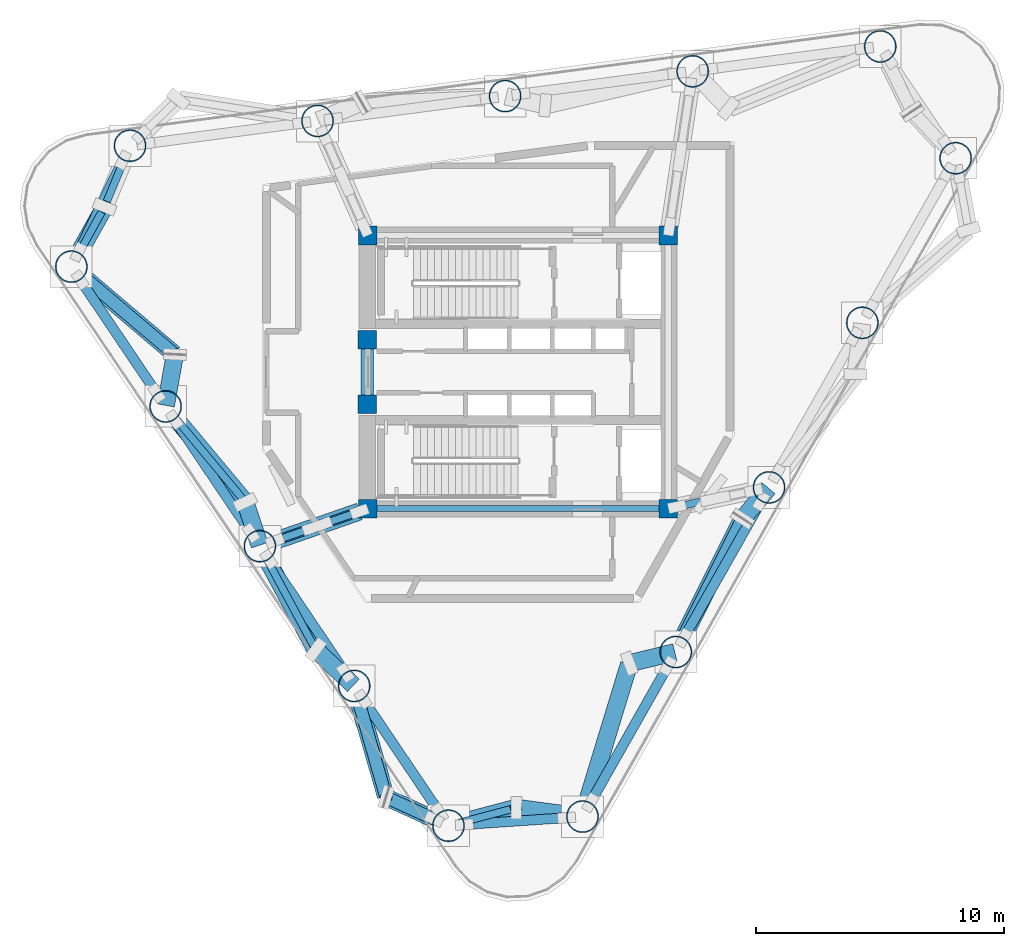
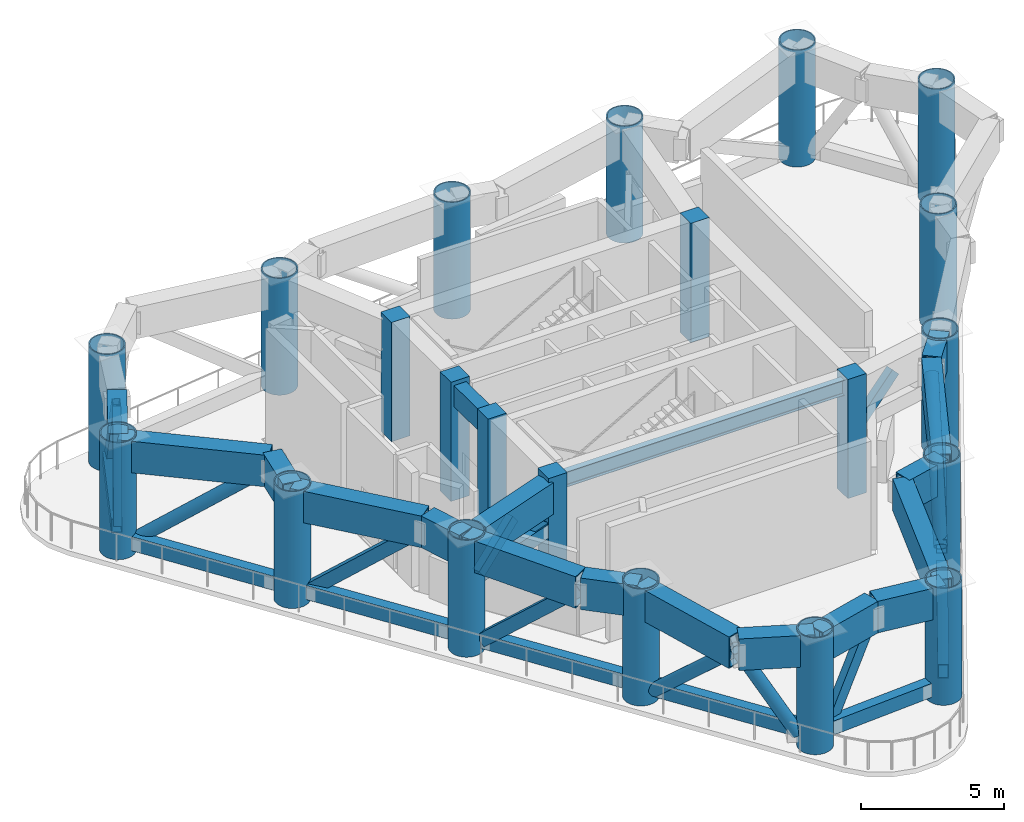
# One storey, part 1 of 10: 21 columns, 21 members, 18 beams.
"""IFC4 building model written with IfcOpenShell, lengths in metres."""

from ifc_helpers import new_model, si_unit, direction, frame, origin, origin_2d, place, context, subcontext, project, spatial, rectangle, hollow_rectangle, hollow_circle, i_section, extrude, source, transform, mapped, material, material_profile, profile_set, type_object, element, save


model = new_model("IFC4")

# Units and contexts
model_context = context("Model", 3, precision=1e-05, world=origin(), true_north=direction((0.0, 1.0)))
body_context = subcontext(model_context, "Body", "Model", "MODEL_VIEW")
ifc_project = project(units=[si_unit("LENGTHUNIT", "METRE"), si_unit("AREAUNIT", "SQUARE_METRE"), si_unit("VOLUMEUNIT", "CUBIC_METRE"), si_unit("PLANEANGLEUNIT", "RADIAN"), si_unit("MASSUNIT", "GRAM", prefix="KILO")], contexts=[model_context])

# Site, building, storey
site_placement = place(None, origin())
site = spatial("IfcSite", under=ifc_project, at=site_placement, CompositionType="ELEMENT")
building_placement = place(site_placement, origin())
building = spatial("IfcBuilding", under=site, at=building_placement, Name="Yunling Apex Tower", CompositionType="ELEMENT")
storey_placement = place(building_placement, frame((0.0, 0.0, 186.35009765625)))
storey = spatial("IfcBuildingStorey", under=building, at=storey_placement, Name="RF5", CompositionType="ELEMENT", Elevation=186.35009765625)

# Columns
ifc_material_1 = material(Name="Concrete C50", Category="concrete")
ifc_material_profile_1 = material_profile(ifc_material_1, rectangle(XDim=0.75, YDim=0.75, at=origin_2d()))
ifc_profile_set_1 = profile_set([ifc_material_profile_1], Name="Concrete C50")
column_type_1 = type_object("IfcColumnType", Name="PC-SRC-4", PredefinedType="COLUMN", material=ifc_profile_set_1)
shared_shape_1 = source(origin(), body_context, "Body", "SweptSolid", [
    extrude(rectangle(XDim=0.75, YDim=0.75, at=origin_2d()), origin(), (0.0, 0.0, 1.0), 5.099853515625),
])
for number, where, z_axis, x_axis, name in (
    (1, (-6.050048828125, -5.5, 0.0), (0.0, 0.0, 1.0), (1.0, 0.0, 0.0), "RF5 Core Spine Column CC-SW"),
    (2, (6.050048828125, -5.5, 0.0), (0.0, 0.0, 1.0), (1.0, 0.0, 0.0), "RF5 Core Spine Column CC-SE"),
    (3, (6.050048828125, 5.5, 0.0), (0.0, 0.0, 1.0), (1.0, 0.0, 0.0), "RF5 Core Spine Column CC-NE"),
    (4, (-6.050048828125, 5.5, 0.0), (0.0, 0.0, 1.0), (1.0, 0.0, 0.0), "RF5 Core Spine Column CC-NW"),
    (5, (-6.074951171875, -1.300048828125, 0.0), (0.0, 0.0, 1.0), (1.0, 0.0, 0.0), "RF5 Core West Portal Jamb Column S"),
    (6, (-6.074951171875, 1.300048828125, 0.0), (0.0, 0.0, 1.0), (1.0, 0.0, 0.0), "RF5 Core West Portal Jamb Column N"),
):
    element("IfcColumn", number, at=place(storey_placement, frame(where, z_axis=z_axis, x_axis=x_axis)), inside=storey, type_object=column_type_1, Name=name, PredefinedType="COLUMN", context=body_context, shape_type="MappedRepresentation", body=[
        mapped(shared_shape_1, transform((0.0, 0.0, 0.0), scale=1.0)),
    ])
ifc_material_2 = material(Name="Steel Q390GJC", Category="steel")
ifc_material_profile_2 = material_profile(ifc_material_2, hollow_circle(Radius=0.64990234375, WallThickness=0.044921875, at=origin_2d()))
ifc_profile_set_2 = profile_set([ifc_material_profile_2], Name="Steel Q390GJC")
column_type_2 = type_object("IfcColumnType", Name="MC-CFST-3", PredefinedType="COLUMN", material=ifc_profile_set_2)
shared_shape_2 = source(origin(), body_context, "Body", "SweptSolid", [
    extrude(hollow_circle(Radius=0.64990234375, WallThickness=0.044921875, at=origin_2d()), origin(), (0.0, 0.0, 1.0), 5.0),
])
for number, where, z_axis, x_axis, name in (
    (7, (2.5947265625, -17.907958984375, 0.0), (0.0, 0.0, 1.0), (1.0, 0.0, 0.0), "RF5 Lower-Block CFST Column P01"),
    (8, (6.351806640625, -11.27783203125, 0.0), (0.0, 0.0, 1.0), (1.0, 0.0, 0.0), "RF5 Lower-Block CFST Column P02"),
    (9, (10.109130859375, -4.64794921875, 0.0), (0.0, 0.0, 1.0), (1.0, 0.0, 0.0), "RF5 Lower-Block CFST Column P03"),
    (10, (13.8662109375, 1.982177734375, 0.0), (0.0, 0.0, 1.0), (1.0, 0.0, 0.0), "RF5 Lower-Block CFST Column P04"),
    (11, (17.62353515625, 8.612060546875, 0.0), (0.0, 0.0, 1.0), (1.0, 0.0, 0.0), "RF5 Lower-Block CFST Column P05"),
    (12, (14.5869140625, 13.114013671875, 0.0), (0.0, 0.0, 1.0), (1.0, 0.0, 0.0), "RF5 Lower-Block CFST Column P06"),
    (13, (7.0322265625, 12.114013671875, 0.0), (0.0, 0.0, 1.0), (1.0, 0.0, 0.0), "RF5 Lower-Block CFST Column P07"),
    (14, (-0.5224609375, 11.114013671875, 0.0), (0.0, 0.0, 1.0), (1.0, 0.0, 0.0), "RF5 Lower-Block CFST Column P08"),
    (15, (-8.0771484375, 10.1142578125, 0.0), (0.0, 0.0, 1.0), (1.0, 0.0, 0.0), "RF5 Lower-Block CFST Column P09"),
    (16, (-15.6318359375, 9.1142578125, 0.0), (0.0, 0.0, 1.0), (1.0, 0.0, 0.0), "RF5 Lower-Block CFST Column P10"),
    (17, (-17.9951171875, 4.2451171875, 0.0), (0.0, 0.0, 1.0), (1.0, 0.0, 0.0), "RF5 Lower-Block CFST Column P11"),
    (18, (-14.197509765625, -1.384765625, 0.0), (0.0, 0.0, 1.0), (1.0, 0.0, 0.0), "RF5 Lower-Block CFST Column P12"),
    (19, (-10.39990234375, -7.014892578125, 0.0), (0.0, 0.0, 1.0), (1.0, 0.0, 0.0), "RF5 Lower-Block CFST Column P13"),
    (20, (-6.6025390625, -12.64501953125, 0.0), (0.0, 0.0, 1.0), (1.0, 0.0, 0.0), "RF5 Lower-Block CFST Column P14"),
    (21, (-2.804931640625, -18.27490234375, 0.0), (0.0, 0.0, 1.0), (1.0, 0.0, 0.0), "RF5 Lower-Block CFST Column P15"),
):
    element("IfcColumn", number, at=place(storey_placement, frame(where, z_axis=z_axis, x_axis=x_axis)), inside=storey, type_object=column_type_2, Name=name, PredefinedType="COLUMN", context=body_context, shape_type="MappedRepresentation", body=[
        mapped(shared_shape_2, transform((0.0, 0.0, 0.0), scale=1.0)),
    ])

# Beams
ifc_material_profile_3 = material_profile(ifc_material_1, rectangle(XDim=0.5, YDim=0.89990234375, at=origin_2d()))
ifc_profile_set_3 = profile_set([ifc_material_profile_3], Name="Concrete C50")
beam_type_1 = type_object("IfcBeamType", Name="BC-CPL-2", PredefinedType="BEAM", material=ifc_profile_set_3)
shared_shape_3 = source(origin(), body_context, "Body", "SweptSolid", [
    extrude(rectangle(XDim=0.5, YDim=0.89990234375, at=origin_2d()), origin(), (0.0, 0.0, 1.0), 2.5),
])
beam_1_placement = place(storey_placement, frame((-6.074951171875, -1.25, 4.469970703125), z_axis=(0.0, 1.0, 0.0), x_axis=(-1.0, 0.0, 0.0)))
element("IfcBeam", 22, at=beam_1_placement, inside=storey, type_object=beam_type_1, Name="RF5 Core West Portal Coupling Beam", PredefinedType="BEAM", context=body_context, shape_type="MappedRepresentation", body=[
    mapped(shared_shape_3, transform((0.0, 0.0, 0.0), scale=1.0)),
])
ifc_material_3 = material(Name="Steel Q355B", Category="steel")
ifc_material_profile_4 = material_profile(ifc_material_3, i_section(OverallWidth=0.25, OverallDepth=0.64990234375, WebThickness=0.011962890625, FlangeThickness=0.02001953125, FilletRadius=0.02392578125, at=origin_2d()))
ifc_profile_set_4 = profile_set([ifc_material_profile_4], Name="Steel Q355B")
beam_type_2 = type_object("IfcBeamType", Name="BG-PRI-4", PredefinedType="USERDEFINED", material=ifc_profile_set_4)
shared_shape_4 = source(origin(), body_context, "Body", "SweptSolid", [
    extrude(i_section(OverallWidth=0.25, OverallDepth=0.64990234375, WebThickness=0.011962890625, FlangeThickness=0.02001953125, FilletRadius=0.02392578125, at=origin_2d()), origin(), (0.0, 0.0, 1.0), 11.7998046875),
])
beam_2_placement = place(storey_placement, frame((-5.89990234375, -5.5, 4.594970703125), z_axis=(1.0, 0.0, 0.0), x_axis=(0.0, 1.0, 0.0)))
element("IfcBeam", 23, at=beam_2_placement, inside=storey, type_object=beam_type_2, Name="RF5 Core Ring Tie Beam 1", ObjectType="GIRDER", PredefinedType="USERDEFINED", context=body_context, shape_type="MappedRepresentation", body=[
    mapped(shared_shape_4, transform((0.0, 0.0, 0.0), scale=1.0)),
])

# Members
ifc_material_profile_5 = material_profile(ifc_material_3, hollow_rectangle(XDim=0.39990234375, YDim=0.60009765625, WallThickness=0.030029296875, at=origin_2d()))
ifc_profile_set_5 = profile_set([ifc_material_profile_5], Name="Steel Q355B")
member_type_1 = type_object("IfcMemberType", Name="BT-CHD-2", PredefinedType="CHORD", material=ifc_profile_set_5)
shared_shape_5 = source(origin(), body_context, "Body", "SweptSolid", [
    extrude(hollow_rectangle(XDim=0.39990234375, YDim=0.60009765625, WallThickness=0.030029296875, at=origin_2d()), origin(), (0.0, 0.0, 1.0), 6.336669921875),
])
for number, where, z_axis, x_axis, name in (
    (24, (2.9111328125, -17.349365234375, 0.5498046875), (0.493044651429, 0.870004006713, 0.0), (-0.870004006713, 0.493044651429, 0.0), "RF5 Belt-Truss Bottom Chord 1"),
    (25, (6.66845703125, -10.719482421875, 0.5498046875), (0.492998962513, 0.87002989774, 0.0), (-0.87002989774, 0.492998962513, 0.0), "RF5 Belt-Truss Bottom Chord 2"),
):
    element("IfcMember", number, at=place(storey_placement, frame(where, z_axis=z_axis, x_axis=x_axis)), inside=storey, type_object=member_type_1, Name=name, PredefinedType="CHORD", context=body_context, shape_type="MappedRepresentation", body=[
        mapped(shared_shape_5, transform((0.0, 0.0, 0.0), scale=1.0)),
    ])
shared_shape_6 = source(origin(), body_context, "Body", "SweptSolid", [
    extrude(hollow_rectangle(XDim=0.39990234375, YDim=0.60009765625, WallThickness=0.030029296875, at=origin_2d()), origin(), (0.0, 0.0, 1.0), 4.128173828125),
])
for number, where, z_axis, x_axis, name in (
    (26, (-15.912109375, 8.53662109375, 0.5498046875), (-0.436631874533, -0.899640264851, 0.0), (0.899640264851, -0.436631874533, 0.0), "RF5 Belt-Truss Bottom Chord 10"),
    (27, (-2.16455078125, -18.2314453125, 0.5498046875), (0.997696627685, 0.067833908237, 0.0), (-0.067833908237, 0.997696627685, 0.0), "RF5 Belt-Truss Bottom Chord 15"),
):
    element("IfcMember", number, at=place(storey_placement, frame(where, z_axis=z_axis, x_axis=x_axis)), inside=storey, type_object=member_type_1, Name=name, PredefinedType="CHORD", context=body_context, shape_type="MappedRepresentation", body=[
        mapped(shared_shape_6, transform((0.0, 0.0, 0.0), scale=1.0)),
    ])
shared_shape_7 = source(origin(), body_context, "Body", "SweptSolid", [
    extrude(hollow_rectangle(XDim=0.39990234375, YDim=0.60009765625, WallThickness=0.030029296875, at=origin_2d()), origin(), (0.0, 0.0, 1.0), 5.507080078125),
])
for number, where, z_axis, x_axis, name in (
    (28, (-17.635986328125, 3.712890625, 0.5498046875), (0.559213950043, -0.829023376074, 0.0), (0.829023376074, 0.559213950043, 0.0), "RF5 Belt-Truss Bottom Chord 11"),
    (29, (-13.83837890625, -1.9169921875, 0.5498046875), (0.559162927807, -0.829057790607, 0.0), (0.829057790607, 0.559162927807, 0.0), "RF5 Belt-Truss Bottom Chord 12"),
    (30, (-10.041015625, -7.547119140625, 0.5498046875), (0.559193397876, -0.829037239074, 0.0), (0.829037239074, 0.559193397876, 0.0), "RF5 Belt-Truss Bottom Chord 13"),
):
    element("IfcMember", number, at=place(storey_placement, frame(where, z_axis=z_axis, x_axis=x_axis)), inside=storey, type_object=member_type_1, Name=name, PredefinedType="CHORD", context=body_context, shape_type="MappedRepresentation", body=[
        mapped(shared_shape_7, transform((0.0, 0.0, 0.0), scale=1.0)),
    ])
shared_shape_8 = source(origin(), body_context, "Body", "SweptSolid", [
    extrude(hollow_rectangle(XDim=0.39990234375, YDim=0.60009765625, WallThickness=0.030029296875, at=origin_2d()), origin(), (0.0, 0.0, 1.0), 5.50732421875),
])
member_1_placement = place(storey_placement, frame((-6.243408203125, -13.177001953125, 0.5498046875), z_axis=(0.559142376909, -0.829071650911, 0.0), x_axis=(0.829071650911, 0.559142376909, 0.0)))
element("IfcMember", 31, at=member_1_placement, inside=storey, type_object=member_type_1, Name="RF5 Belt-Truss Bottom Chord 14", PredefinedType="CHORD", context=body_context, shape_type="MappedRepresentation", body=[
    mapped(shared_shape_8, transform((0.0, 0.0, 0.0), scale=1.0)),
])

# Beams
ifc_material_profile_6 = material_profile(ifc_material_2, hollow_rectangle(XDim=0.699951171875, YDim=1.35009765625, WallThickness=0.044921875, at=origin_2d()))
ifc_profile_set_6 = profile_set([ifc_material_profile_6], Name="Steel Q390GJC")
beam_type_3 = type_object("IfcBeamType", Name="BTRNG-2", PredefinedType="USERDEFINED", material=ifc_profile_set_6)
shared_shape_9 = source(origin(), body_context, "Body", "SweptSolid", [
    extrude(hollow_rectangle(XDim=0.699951171875, YDim=1.35009765625, WallThickness=0.044921875, at=origin_2d()), origin(), (0.0, 0.0, 1.0), 4.9375),
])
beam_3_placement = place(storey_placement, frame((-14.171875, -1.41552734375, 4.244873046875), z_axis=(0.63989739859, -0.768460356347, 0.0), x_axis=(0.768460356347, 0.63989739859, 0.0)))
element("IfcBeam", 32, at=beam_3_placement, inside=storey, type_object=beam_type_3, Name="RF5 Panel-Split Box Ring Transfer Girder 1", ObjectType="GIRDER", PredefinedType="USERDEFINED", context=body_context, shape_type="MappedRepresentation", body=[
    mapped(shared_shape_9, transform((0.0, 0.0, 0.0), scale=1.0)),
])
shared_shape_10 = source(origin(), body_context, "Body", "SweptSolid", [
    extrude(hollow_rectangle(XDim=0.699951171875, YDim=1.35009765625, WallThickness=0.044921875, at=origin_2d()), origin(), (0.0, 0.0, 1.0), 1.788818359375),
])
beam_4_placement = place(storey_placement, frame((-10.974365234375, -5.278564453125, 4.244873046875), z_axis=(0.314056793906, -0.949404197485, 0.0), x_axis=(0.949404197485, 0.314056793906, 0.0)))
element("IfcBeam", 33, at=beam_4_placement, inside=storey, type_object=beam_type_3, Name="RF5 Panel-Split Box Ring Transfer Girder 2", ObjectType="GIRDER", PredefinedType="USERDEFINED", context=body_context, shape_type="MappedRepresentation", body=[
    mapped(shared_shape_10, transform((0.0, 0.0, 0.0), scale=1.0)),
])
shared_shape_11 = source(origin(), body_context, "Body", "SweptSolid", [
    extrude(hollow_rectangle(XDim=0.699951171875, YDim=1.35009765625, WallThickness=0.044921875, at=origin_2d()), origin(), (0.0, 0.0, 1.0), 4.658203125),
])
beam_5_placement = place(storey_placement, frame((-10.381103515625, -7.050048828125, 4.244873046875), z_axis=(0.47459045053, -0.880206739503, 0.0), x_axis=(0.880206739503, 0.47459045053, 0.0)))
element("IfcBeam", 34, at=beam_5_placement, inside=storey, type_object=beam_type_3, Name="RF5 Panel-Split Box Ring Transfer Girder 3", ObjectType="GIRDER", PredefinedType="USERDEFINED", context=body_context, shape_type="MappedRepresentation", body=[
    mapped(shared_shape_11, transform((0.0, 0.0, 0.0), scale=1.0)),
])
shared_shape_12 = source(origin(), body_context, "Body", "SweptSolid", [
    extrude(hollow_rectangle(XDim=0.699951171875, YDim=1.35009765625, WallThickness=0.044921875, at=origin_2d()), origin(), (0.0, 0.0, 1.0), 2.04833984375),
])
beam_6_placement = place(storey_placement, frame((-8.122314453125, -11.212646484375, 4.244873046875), z_axis=(0.727772955099, -0.685818143407, 0.0), x_axis=(0.685818143407, 0.727772955099, 0.0)))
element("IfcBeam", 35, at=beam_6_placement, inside=storey, type_object=beam_type_3, Name="RF5 Panel-Split Box Ring Transfer Girder 4", ObjectType="GIRDER", PredefinedType="USERDEFINED", context=body_context, shape_type="MappedRepresentation", body=[
    mapped(shared_shape_12, transform((0.0, 0.0, 0.0), scale=1.0)),
])
shared_shape_13 = source(origin(), body_context, "Body", "SweptSolid", [
    extrude(hollow_rectangle(XDim=0.699951171875, YDim=1.35009765625, WallThickness=0.044921875, at=origin_2d()), origin(), (0.0, 0.0, 1.0), 4.586181640625),
])
beam_7_placement = place(storey_placement, frame((-6.591552734375, -12.683349609375, 4.244873046875), z_axis=(0.275747466249, -0.961230115455, 0.0), x_axis=(0.961230115455, 0.275747466249, 0.0)))
element("IfcBeam", 36, at=beam_7_placement, inside=storey, type_object=beam_type_3, Name="RF5 Panel-Split Box Ring Transfer Girder 5", ObjectType="GIRDER", PredefinedType="USERDEFINED", context=body_context, shape_type="MappedRepresentation", body=[
    mapped(shared_shape_13, transform((0.0, 0.0, 0.0), scale=1.0)),
])
shared_shape_14 = source(origin(), body_context, "Body", "SweptSolid", [
    extrude(hollow_rectangle(XDim=0.699951171875, YDim=1.35009765625, WallThickness=0.044921875, at=origin_2d()), origin(), (0.0, 0.0, 1.0), 2.679443359375),
])
beam_8_placement = place(storey_placement, frame((-5.279296875, -17.146728515625, 4.244873046875), z_axis=(0.909888446538, -0.414853003914, 0.0), x_axis=(0.414853003914, 0.909888446538, 0.0)))
element("IfcBeam", 37, at=beam_8_placement, inside=storey, type_object=beam_type_3, Name="RF5 Panel-Split Box Ring Transfer Girder 6", ObjectType="GIRDER", PredefinedType="USERDEFINED", context=body_context, shape_type="MappedRepresentation", body=[
    mapped(shared_shape_14, transform((0.0, 0.0, 0.0), scale=1.0)),
])
shared_shape_15 = source(origin(), body_context, "Body", "SweptSolid", [
    extrude(hollow_rectangle(XDim=0.699951171875, YDim=1.35009765625, WallThickness=0.044921875, at=origin_2d()), origin(), (0.0, 0.0, 1.0), 2.7451171875),
])
beam_9_placement = place(storey_placement, frame((-2.766357421875, -18.264892578125, 4.244873046875), z_axis=(0.966806739735, 0.255508763063, 0.0), x_axis=(-0.255508763063, 0.966806739735, 0.0)))
element("IfcBeam", 38, at=beam_9_placement, inside=storey, type_object=beam_type_3, Name="RF5 Panel-Split Box Ring Transfer Girder 7", ObjectType="GIRDER", PredefinedType="USERDEFINED", context=body_context, shape_type="MappedRepresentation", body=[
    mapped(shared_shape_15, transform((0.0, 0.0, 0.0), scale=1.0)),
])
shared_shape_16 = source(origin(), body_context, "Body", "SweptSolid", [
    extrude(hollow_rectangle(XDim=0.699951171875, YDim=1.35009765625, WallThickness=0.044921875, at=origin_2d()), origin(), (0.0, 0.0, 1.0), 2.611328125),
])
beam_10_placement = place(storey_placement, frame((-0.03369140625, -17.55859375, 4.244873046875), z_axis=(0.991285777949, -0.131728912679, 0.0), x_axis=(0.131728912679, 0.991285777949, 0.0)))
element("IfcBeam", 39, at=beam_10_placement, inside=storey, type_object=beam_type_3, Name="RF5 Panel-Split Box Ring Transfer Girder 8", ObjectType="GIRDER", PredefinedType="USERDEFINED", context=body_context, shape_type="MappedRepresentation", body=[
    mapped(shared_shape_16, transform((0.0, 0.0, 0.0), scale=1.0)),
])
shared_shape_17 = source(origin(), body_context, "Body", "SweptSolid", [
    extrude(hollow_rectangle(XDim=0.699951171875, YDim=1.35009765625, WallThickness=0.044921875, at=origin_2d()), origin(), (0.0, 0.0, 1.0), 6.377197265625),
])
beam_11_placement = place(storey_placement, frame((2.6064453125, -17.86962890625, 4.244873046875), z_axis=(0.292064857462, 0.95639851476, 0.0), x_axis=(-0.95639851476, 0.292064857462, 0.0)))
element("IfcBeam", 40, at=beam_11_placement, inside=storey, type_object=beam_type_3, Name="RF5 Panel-Split Box Ring Transfer Girder 9", ObjectType="GIRDER", PredefinedType="USERDEFINED", context=body_context, shape_type="MappedRepresentation", body=[
    mapped(shared_shape_17, transform((0.0, 0.0, 0.0), scale=1.0)),
])
shared_shape_18 = source(origin(), body_context, "Body", "SweptSolid", [
    extrude(hollow_rectangle(XDim=0.699951171875, YDim=1.35009765625, WallThickness=0.044921875, at=origin_2d()), origin(), (0.0, 0.0, 1.0), 1.845458984375),
])
beam_12_placement = place(storey_placement, frame((4.519775390625, -11.722900390625, 4.244873046875), z_axis=(0.971747202009, 0.236024099167, 0.0), x_axis=(-0.236024099167, 0.971747202009, 0.0)))
element("IfcBeam", 41, at=beam_12_placement, inside=storey, type_object=beam_type_3, Name="RF5 Panel-Split Box Ring Transfer Girder 10", ObjectType="GIRDER", PredefinedType="USERDEFINED", context=body_context, shape_type="MappedRepresentation", body=[
    mapped(shared_shape_18, transform((0.0, 0.0, 0.0), scale=1.0)),
])
shared_shape_19 = source(origin(), body_context, "Body", "SweptSolid", [
    extrude(hollow_rectangle(XDim=0.699951171875, YDim=1.35009765625, WallThickness=0.044921875, at=origin_2d()), origin(), (0.0, 0.0, 1.0), 5.919921875),
])
beam_13_placement = place(storey_placement, frame((6.369873046875, -11.2421875, 4.244873046875), z_axis=(0.44716410695, 0.894451933564, 0.0), x_axis=(-0.894451933564, 0.44716410695, 0.0)))
element("IfcBeam", 42, at=beam_13_placement, inside=storey, type_object=beam_type_3, Name="RF5 Panel-Split Box Ring Transfer Girder 11", ObjectType="GIRDER", PredefinedType="USERDEFINED", context=body_context, shape_type="MappedRepresentation", body=[
    mapped(shared_shape_19, transform((0.0, 0.0, 0.0), scale=1.0)),
])
shared_shape_20 = source(origin(), body_context, "Body", "SweptSolid", [
    extrude(hollow_rectangle(XDim=0.699951171875, YDim=1.35009765625, WallThickness=0.044921875, at=origin_2d()), origin(), (0.0, 0.0, 1.0), 1.578125),
])
beam_14_placement = place(storey_placement, frame((9.06103515625, -5.880859375, 4.244873046875), z_axis=(0.647715774691, 0.761882061225, 0.0), x_axis=(-0.761882061225, 0.647715774691, 0.0)))
element("IfcBeam", 43, at=beam_14_placement, inside=storey, type_object=beam_type_3, Name="RF5 Panel-Split Box Ring Transfer Girder 12", ObjectType="GIRDER", PredefinedType="USERDEFINED", context=body_context, shape_type="MappedRepresentation", body=[
    mapped(shared_shape_20, transform((0.0, 0.0, 0.0), scale=1.0)),
])
shared_shape_21 = source(origin(), body_context, "Body", "SweptSolid", [
    extrude(hollow_rectangle(XDim=0.699951171875, YDim=1.35009765625, WallThickness=0.044921875, at=origin_2d()), origin(), (0.0, 0.0, 1.0), 2.67041015625),
])
beam_15_placement = place(storey_placement, frame((-16.677490234375, 6.614013671875, 4.244873046875), z_axis=(-0.486093079132, -0.873907042208, 0.0), x_axis=(0.873907042208, -0.486093079132, 0.0)))
element("IfcBeam", 44, at=beam_15_placement, inside=storey, type_object=beam_type_3, Name="RF5 Panel-Split Box Ring Transfer Girder 28", ObjectType="GIRDER", PredefinedType="USERDEFINED", context=body_context, shape_type="MappedRepresentation", body=[
    mapped(shared_shape_21, transform((0.0, 0.0, 0.0), scale=1.0)),
])
shared_shape_22 = source(origin(), body_context, "Body", "SweptSolid", [
    extrude(hollow_rectangle(XDim=0.699951171875, YDim=1.35009765625, WallThickness=0.044921875, at=origin_2d()), origin(), (0.0, 0.0, 1.0), 5.392578125),
])
beam_16_placement = place(storey_placement, frame((-17.964599609375, 4.21923828125, 4.244873046875), z_axis=(0.762490861431, -0.646998984724, 0.0), x_axis=(0.646998984724, 0.762490861431, 0.0)))
element("IfcBeam", 45, at=beam_16_placement, inside=storey, type_object=beam_type_3, Name="RF5 Panel-Split Box Ring Transfer Girder 29", ObjectType="GIRDER", PredefinedType="USERDEFINED", context=body_context, shape_type="MappedRepresentation", body=[
    mapped(shared_shape_22, transform((0.0, 0.0, 0.0), scale=1.0)),
])
shared_shape_23 = source(origin(), body_context, "Body", "SweptSolid", [
    extrude(hollow_rectangle(XDim=0.699951171875, YDim=1.35009765625, WallThickness=0.044921875, at=origin_2d()), origin(), (0.0, 0.0, 1.0), 2.04248046875),
])
beam_17_placement = place(storey_placement, frame((-13.82958984375, 0.664794921875, 4.244873046875), z_axis=(-0.17667594036, -0.984269075049, 0.0), x_axis=(0.984269075049, -0.17667594036, 0.0)))
element("IfcBeam", 46, at=beam_17_placement, inside=storey, type_object=beam_type_3, Name="RF5 Panel-Split Box Ring Transfer Girder 30", ObjectType="GIRDER", PredefinedType="USERDEFINED", context=body_context, shape_type="MappedRepresentation", body=[
    mapped(shared_shape_23, transform((0.0, 0.0, 0.0), scale=1.0)),
])

# Members
ifc_material_profile_7 = material_profile(ifc_material_3, hollow_rectangle(XDim=0.300048828125, YDim=0.5, WallThickness=0.02197265625, at=origin_2d()))
ifc_profile_set_7 = profile_set([ifc_material_profile_7], Name="Steel Q355B")
member_type_2 = type_object("IfcMemberType", Name="BR-BLT-2", PredefinedType="BRACE", material=ifc_profile_set_7)
shared_shape_24 = source(origin(), body_context, "Body", "SweptSolid", [
    extrude(hollow_rectangle(XDim=0.300048828125, YDim=0.5, WallThickness=0.02197265625, at=origin_2d()), origin(), (0.0, 0.0, 1.0), 4.28271484375),
])
member_2_placement = place(storey_placement, frame((-2.186279296875, -18.111572265625, 0.5498046875), z_axis=(0.488817410198, 0.129173207173, 0.862769854617), x_axis=(-0.255486572663, 0.966812603967, 0.0)))
element("IfcMember", 47, at=member_2_placement, inside=storey, type_object=member_type_2, Name="RF5 Belt-Truss Diagonal 1-1", PredefinedType="BRACE", context=body_context, shape_type="MappedRepresentation", body=[
    mapped(shared_shape_24, transform((0.0, 0.0, 0.0), scale=1.0)),
])
ifc_material_profile_8 = material_profile(ifc_material_3, hollow_circle(Radius=0.25390625, WallThickness=0.02001953125, at=origin_2d()))
ifc_profile_set_8 = profile_set([ifc_material_profile_8], Name="Steel Q355B")
member_type_3 = type_object("IfcMemberType", Name="BR-PER-2", PredefinedType="BRACE", material=ifc_profile_set_8)
shared_shape_25 = source(origin(), body_context, "Body", "SweptSolid", [
    extrude(hollow_circle(Radius=0.25390625, WallThickness=0.02001953125, at=origin_2d()), origin(), (0.0, 0.0, 1.0), 6.493896484375),
])
member_3_placement = place(storey_placement, frame((6.63818359375, -10.70556640625, 0.5498046875), z_axis=(0.367725923403, 0.735527038693, 0.569014604918), x_axis=(-0.894445477831, 0.447177019968, 0.0)))
element("IfcMember", 48, at=member_3_placement, inside=storey, type_object=member_type_3, Name="RF5 Belt-Truss Diagonal 3-1", PredefinedType="BRACE", context=body_context, shape_type="MappedRepresentation", body=[
    mapped(shared_shape_25, transform((0.0, 0.0, 0.0), scale=1.0)),
])
shared_shape_26 = source(origin(), body_context, "Body", "SweptSolid", [
    extrude(hollow_rectangle(XDim=0.300048828125, YDim=0.5, WallThickness=0.02197265625, at=origin_2d()), origin(), (0.0, 0.0, 1.0), 4.20654296875),
])
member_4_placement = place(storey_placement, frame((-15.877685546875, 8.5234375, 0.5498046875), z_axis=(-0.183690322323, -0.441205001675, 0.87840538021), x_axis=(0.923184673553, -0.384356681373, 0.0)))
element("IfcMember", 49, at=member_4_placement, inside=storey, type_object=member_type_2, Name="RF5 Belt-Truss Diagonal 11-1", PredefinedType="BRACE", context=body_context, shape_type="MappedRepresentation", body=[
    mapped(shared_shape_26, transform((0.0, 0.0, 0.0), scale=1.0)),
])
shared_shape_27 = source(origin(), body_context, "Body", "SweptSolid", [
    extrude(hollow_rectangle(XDim=0.300048828125, YDim=0.5, WallThickness=0.02197265625, at=origin_2d()), origin(), (0.0, 0.0, 1.0), 4.24560546875),
])
member_5_placement = place(storey_placement, frame((-17.683837890625, 4.804443359375, 0.5498046875), z_axis=(0.239337451261, 0.430370371273, 0.870344143402), x_axis=(-0.873947880343, 0.486019652323, 0.0)))
element("IfcMember", 50, at=member_5_placement, inside=storey, type_object=member_type_2, Name="RF5 Belt-Truss Diagonal 11-2", PredefinedType="BRACE", context=body_context, shape_type="MappedRepresentation", body=[
    mapped(shared_shape_27, transform((0.0, 0.0, 0.0), scale=1.0)),
])
shared_shape_28 = source(origin(), body_context, "Body", "SweptSolid", [
    extrude(hollow_circle(Radius=0.25390625, WallThickness=0.02001953125, at=origin_2d()), origin(), (0.0, 0.0, 1.0), 6.0673828125),
])
member_6_placement = place(storey_placement, frame((-17.507080078125, 3.8310546875, 0.5498046875), z_axis=(0.604774552972, -0.513193256727, 0.608999524899), x_axis=(0.647014987334, 0.762477282393, 0.0)))
element("IfcMember", 51, at=member_6_placement, inside=storey, type_object=member_type_3, Name="RF5 Belt-Truss Diagonal 12-1", PredefinedType="BRACE", context=body_context, shape_type="MappedRepresentation", body=[
    mapped(shared_shape_28, transform((0.0, 0.0, 0.0), scale=1.0)),
])
shared_shape_29 = source(origin(), body_context, "Body", "SweptSolid", [
    extrude(hollow_rectangle(XDim=0.300048828125, YDim=0.5, WallThickness=0.02197265625, at=origin_2d()), origin(), (0.0, 0.0, 1.0), 5.713134765625),
])
member_7_placement = place(storey_placement, frame((-13.7880859375, -1.876708984375, 0.5498046875), z_axis=(0.488055223748, -0.586085053297, 0.646766116052), x_axis=(0.768446269142, 0.639914315703, 0.0)))
element("IfcMember", 52, at=member_7_placement, inside=storey, type_object=member_type_2, Name="RF5 Belt-Truss Diagonal 13-1", PredefinedType="BRACE", context=body_context, shape_type="MappedRepresentation", body=[
    mapped(shared_shape_29, transform((0.0, 0.0, 0.0), scale=1.0)),
])
shared_shape_30 = source(origin(), body_context, "Body", "SweptSolid", [
    extrude(hollow_rectangle(XDim=0.300048828125, YDim=0.5, WallThickness=0.02197265625, at=origin_2d()), origin(), (0.0, 0.0, 1.0), 5.503173828125),
])
member_8_placement = place(storey_placement, frame((-10.09619140625, -7.578125, 0.5498046875), z_axis=(0.351674760264, -0.652286363084, 0.671451683689), x_axis=(0.880221075046, 0.474563861925, 0.0)))
element("IfcMember", 53, at=member_8_placement, inside=storey, type_object=member_type_2, Name="RF5 Belt-Truss Diagonal 14-1", PredefinedType="BRACE", context=body_context, shape_type="MappedRepresentation", body=[
    mapped(shared_shape_30, transform((0.0, 0.0, 0.0), scale=1.0)),
])
shared_shape_31 = source(origin(), body_context, "Body", "SweptSolid", [
    extrude(hollow_circle(Radius=0.25390625, WallThickness=0.02001953125, at=origin_2d()), origin(), (0.0, 0.0, 1.0), 4.25),
])
member_9_placement = place(storey_placement, frame((-3.38720703125, -18.009521484375, 0.5498046875), z_axis=(-0.44951264198, 0.204966275602, 0.869440745862), x_axis=(-0.414880217799, -0.909876038194, 0.0)))
element("IfcMember", 54, at=member_9_placement, inside=storey, type_object=member_type_3, Name="RF5 Belt-Truss Diagonal 15-1", PredefinedType="BRACE", context=body_context, shape_type="MappedRepresentation", body=[
    mapped(shared_shape_31, transform((0.0, 0.0, 0.0), scale=1.0)),
])
shared_shape_32 = source(origin(), body_context, "Body", "SweptSolid", [
    extrude(hollow_circle(Radius=0.25390625, WallThickness=0.02001953125, at=origin_2d()), origin(), (0.0, 0.0, 1.0), 5.449951171875),
])
member_10_placement = place(storey_placement, frame((-6.426025390625, -13.260009765625, 0.5498046875), z_axis=(0.202702668557, -0.706569986995, 0.677990030633), x_axis=(0.961226729509, 0.275759269069, 0.0)))
element("IfcMember", 55, at=member_10_placement, inside=storey, type_object=member_type_3, Name="RF5 Belt-Truss Diagonal 15-2", PredefinedType="BRACE", context=body_context, shape_type="MappedRepresentation", body=[
    mapped(shared_shape_32, transform((0.0, 0.0, 0.0), scale=1.0)),
])

# Beam
shared_shape_33 = source(origin(), body_context, "Body", "SweptSolid", [
    extrude(hollow_rectangle(XDim=0.699951171875, YDim=1.35009765625, WallThickness=0.044921875, at=origin_2d()), origin(), (0.0, 0.0, 1.0), 3.6064453125),
])
beam_18_placement = place(storey_placement, frame((-6.389892578125, -5.618408203125, 4.244873046875), z_axis=(-0.94437435128, -0.328872444338, 0.0), x_axis=(0.328872444338, -0.94437435128, 0.0)))
element("IfcBeam", 56, at=beam_18_placement, inside=storey, type_object=beam_type_3, Name="RF5 Radial Outrigger Top Girder 1", ObjectType="GIRDER", PredefinedType="USERDEFINED", context=body_context, shape_type="MappedRepresentation", body=[
    mapped(shared_shape_33, transform((0.0, 0.0, 0.0), scale=1.0)),
])

# Members
shared_shape_34 = source(origin(), body_context, "Body", "SweptSolid", [
    extrude(hollow_rectangle(XDim=0.39990234375, YDim=0.60009765625, WallThickness=0.030029296875, at=origin_2d()), origin(), (0.0, 0.0, 1.0), 3.6064453125),
])
member_11_placement = place(storey_placement, frame((-6.389892578125, -5.618408203125, 2.81982421875), z_axis=(-0.94437435128, -0.328872444338, 0.0), x_axis=(0.328872444338, -0.94437435128, 0.0)))
element("IfcMember", 57, at=member_11_placement, inside=storey, type_object=member_type_1, Name="RF5 Radial Outrigger Lower Chord 1", PredefinedType="CHORD", context=body_context, shape_type="MappedRepresentation", body=[
    mapped(shared_shape_34, transform((0.0, 0.0, 0.0), scale=1.0)),
])
ifc_material_profile_9 = material_profile(ifc_material_3, hollow_rectangle(XDim=0.300048828125, YDim=0.449951171875, WallThickness=0.02001953125, at=origin_2d()))
ifc_profile_set_9 = profile_set([ifc_material_profile_9], Name="Steel Q355B")
member_type_4 = type_object("IfcMemberType", Name="BR-OUT-2", PredefinedType="BRACE", material=ifc_profile_set_9)
shared_shape_35 = source(origin(), body_context, "Body", "SweptSolid", [
    extrude(hollow_rectangle(XDim=0.300048828125, YDim=0.449951171875, WallThickness=0.02001953125, at=origin_2d()), origin(), (0.0, 0.0, 1.0), 2.29833984375),
])
for number, where, z_axis, x_axis, name in (
    (58, (-6.389892578125, -5.618408203125, 2.81982421875), (-0.740926815491, -0.258023116104, 0.620041551544), (0.328872444338, -0.94437435128, 0.0), "RF5 Outrigger Inner Diagonal 1A"),
    (59, (-8.0927734375, -6.21142578125, 4.244873046875), (-0.740926815491, -0.258023116104, -0.620041551544), (0.328872444338, -0.94437435128, 0.0), "RF5 Outrigger Outer Diagonal 1B"),
):
    element("IfcMember", number, at=place(storey_placement, frame(where, z_axis=z_axis, x_axis=x_axis)), inside=storey, type_object=member_type_4, Name=name, PredefinedType="BRACE", context=body_context, shape_type="MappedRepresentation", body=[
        mapped(shared_shape_35, transform((0.0, 0.0, 0.0), scale=1.0)),
    ])
shared_shape_36 = source(origin(), body_context, "Body", "SweptSolid", [
    extrude(hollow_rectangle(XDim=0.300048828125, YDim=0.449951171875, WallThickness=0.02001953125, at=origin_2d()), origin(), (0.0, 0.0, 1.0), 2.123046875),
])
member_12_placement = place(storey_placement, frame((6.40234375, -5.426025390625, 2.81982421875), z_axis=(0.725419797236, 0.152259957441, 0.671254812376), x_axis=(-0.2054161885, 0.978674710771, 0.0)))
element("IfcMember", 60, at=member_12_placement, inside=storey, type_object=member_type_4, Name="RF5 Outrigger Inner Diagonal 2A", PredefinedType="BRACE", context=body_context, shape_type="MappedRepresentation", body=[
    mapped(shared_shape_36, transform((0.0, 0.0, 0.0), scale=1.0)),
])

save(model, "model.ifc")
